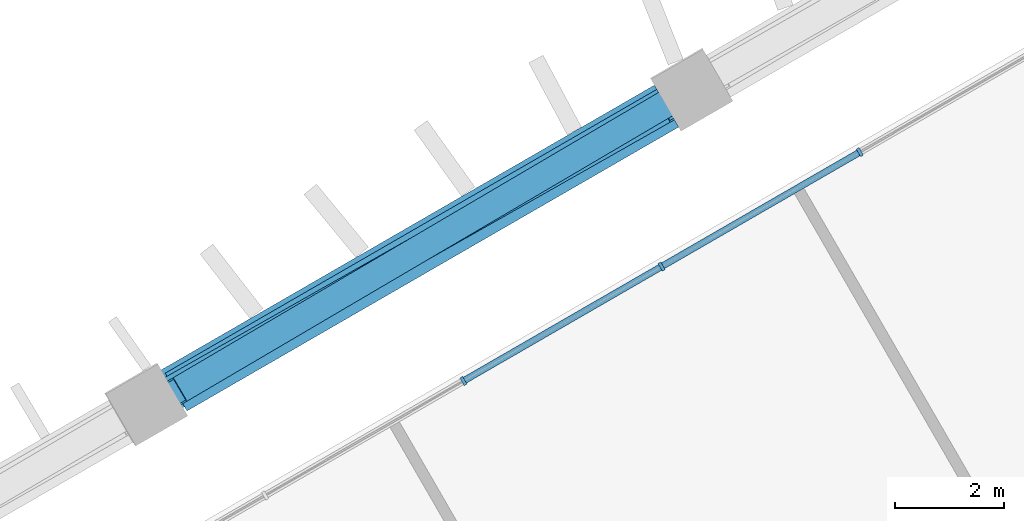
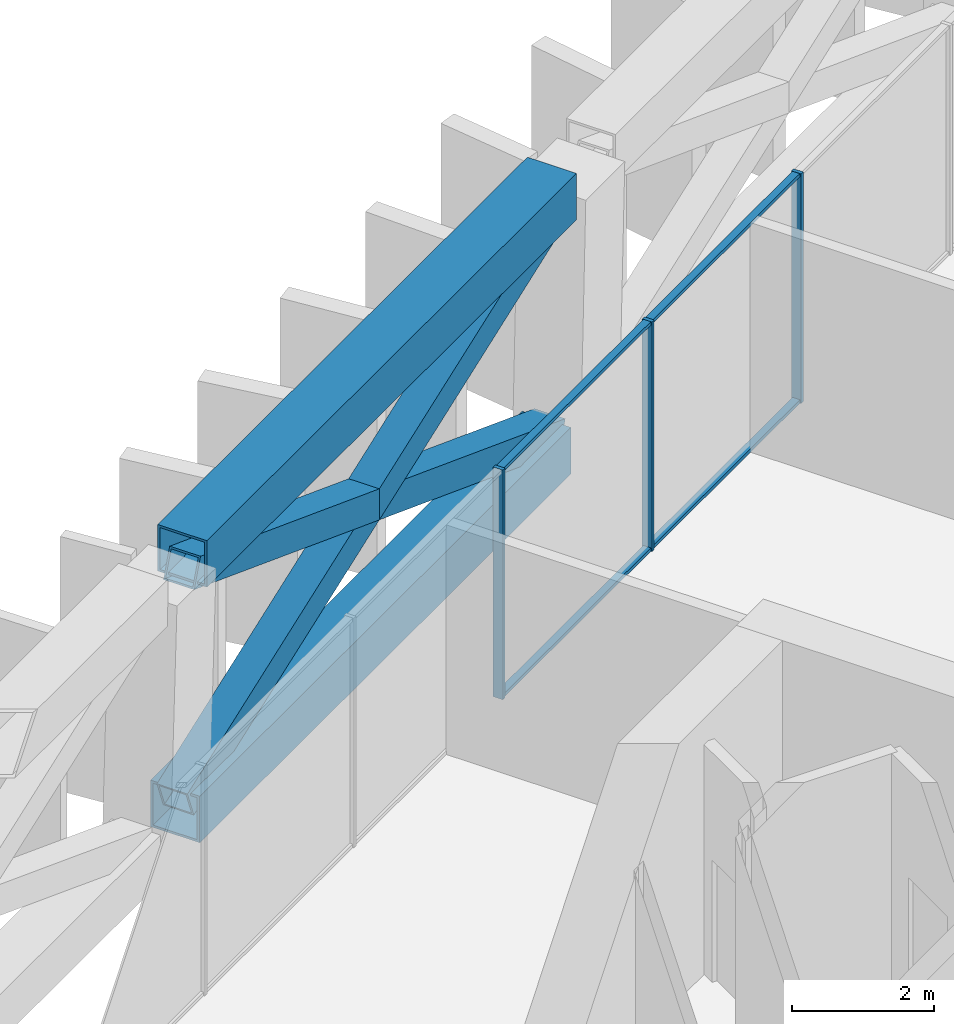
# One storey, part 7 of 17: 11 members, 1 element without a shape of its own.
"""IFC4 building model written with IfcOpenShell, lengths in metres."""

from ifc_helpers import new_model, si_unit, direction, frame, origin, origin_2d, place, context, subcontext, project, spatial, rectangle, hollow_rectangle, extrude, material, layer, layer_set, material_profile, profile_set, type_object, element, aggregate, save


model = new_model("IFC4")

# Units and contexts
model_context = context("Model", 3, precision=1e-05, world=origin(), true_north=direction((0.0, 1.0)))
body_context = subcontext(model_context, "Body", "Model", "MODEL_VIEW")
ifc_project = project(units=[si_unit("LENGTHUNIT", "METRE"), si_unit("AREAUNIT", "SQUARE_METRE"), si_unit("VOLUMEUNIT", "CUBIC_METRE"), si_unit("PLANEANGLEUNIT", "RADIAN"), si_unit("MASSUNIT", "GRAM", prefix="KILO")], contexts=[model_context])

# Site, building, storey
site_placement = place(None, origin())
site = spatial("IfcSite", under=ifc_project, at=site_placement, CompositionType="ELEMENT")
building_placement = place(site_placement, origin())
building = spatial("IfcBuilding", under=site, at=building_placement, Name="Jabali Bay Hotel Tower and Convention Centre", CompositionType="ELEMENT")
storey_placement = place(building_placement, frame((0.0, 0.0, 102.39990234375)))
storey = spatial("IfcBuildingStorey", under=building, at=storey_placement, Name="L24", CompositionType="ELEMENT", Elevation=102.39990234375)

# Members
ifc_material_1 = material(Name="Steel Q420GJC", Category="steel")
ifc_material_profile_1 = material_profile(ifc_material_1, hollow_rectangle(XDim=0.5, YDim=0.5, WallThickness=0.030029296875, at=origin_2d()), Name="Belt brace 500x500x30")
ifc_profile_set_1 = profile_set([ifc_material_profile_1], Name="Steel Q420GJC")
member_type_1 = type_object("IfcMemberType", Name="Belt brace 500x500x30", PredefinedType="BRACE", material=ifc_profile_set_1)
member_1_placement = place(storey_placement, frame((63.231689453125, 99.283447265625, 0.210205078125), z_axis=(-0.805412998282, -0.473329501843, 0.356747929053), x_axis=(0.506667904154, -0.862141307965, 0.0)))
element("IfcMember", 1, at=member_1_placement, inside=storey, type_object=member_type_1, Name="Belt brace T2 F1.3-F1.4 x1", PredefinedType="BRACE", context=body_context, shape_type="SweptSolid", body=[
    extrude(hollow_rectangle(XDim=0.5, YDim=0.5, WallThickness=0.030029296875, at=origin_2d()), origin(), (0.0, 0.0, 1.0), 11.155517578125),
])
member_2_placement = place(storey_placement, frame((54.166015625, 94.04931640625, 0.209228515625), z_axis=(0.813008644183, 0.461119791379, 0.355507359251), x_axis=(-0.493348533337, 0.869831722033, 0.0)))
element("IfcMember", 2, at=member_2_placement, inside=storey, type_object=member_type_1, Name="Belt brace T2 F1.3-F1.4 x2", PredefinedType="BRACE", context=body_context, shape_type="SweptSolid", body=[
    extrude(hollow_rectangle(XDim=0.5, YDim=0.5, WallThickness=0.030029296875, at=origin_2d()), origin(), (0.0, 0.0, 1.0), 11.199951171875),
])
ifc_material_profile_2 = material_profile(ifc_material_1, hollow_rectangle(XDim=0.800048828125, YDim=0.800048828125, WallThickness=0.0400390625, at=origin_2d()), Name="Belt chord 800x800x40")
ifc_profile_set_2 = profile_set([ifc_material_profile_2], Name="Steel Q420GJC")
member_type_2 = type_object("IfcMemberType", Name="Belt chord 800x800x40", PredefinedType="CHORD", material=ifc_profile_set_2)
member_3_placement = place(storey_placement, frame((63.2294921875, 99.287109375, 0.0), z_axis=(-0.866017023461, -0.500014514865, 0.0), x_axis=(0.500014514865, -0.866017023461, 0.0)))
element("IfcMember", 3, at=member_3_placement, inside=storey, type_object=member_type_2, Name="Belt chord T2 F1.3-F1.4", PredefinedType="CHORD", context=body_context, shape_type="SweptSolid", body=[
    extrude(hollow_rectangle(XDim=0.800048828125, YDim=0.800048828125, WallThickness=0.0400390625, at=origin_2d()), origin(), (0.0, 0.0, 1.0), 10.468017578125),
])
member_4_placement = place(storey_placement, frame((63.27392578125, 99.210205078125, 4.400146484375), z_axis=(-0.866018607488, -0.500011771347, 0.0), x_axis=(0.500011771347, -0.866018607488, 0.0)))
element("IfcMember", 4, at=member_4_placement, inside=storey, type_object=member_type_2, Name="Belt chord T2 F1.3-F1.4", PredefinedType="CHORD", context=body_context, shape_type="SweptSolid", body=[
    extrude(hollow_rectangle(XDim=0.800048828125, YDim=0.800048828125, WallThickness=0.0400390625, at=origin_2d()), origin(), (0.0, 0.0, 1.0), 10.421142578125),
])

# Curtain wall, members
ifc_material_2 = material(Name="Aluminium and glass", Category="aluminium")
ifc_layer = layer(ifc_material_2, 0.159912109375)
ifc_layer_set = layer_set([ifc_layer], Name="Aluminium and glass")
curtain_wall_type = type_object("IfcCurtainWallType", Name="CW3 curtain wall", PredefinedType="NOTDEFINED", material=ifc_layer_set)
curtain_wall_placement = place(storey_placement, origin())
curtain_wall = element("IfcCurtainWall", 5, at=curtain_wall_placement, inside=storey, type_object=curtain_wall_type, Name="CW3 curtain wall north-west face L24", PredefinedType="NOTDEFINED")
ifc_material_3 = material(Name="Aluminium", Category="aluminium")
ifc_material_profile_3 = material_profile(ifc_material_3, rectangle(XDim=0.159912109375, YDim=0.06005859375, at=origin_2d()), Name="CW3 mullion 60 x 160")
ifc_profile_set_3 = profile_set([ifc_material_profile_3], Name="Aluminium")
member_type_3 = type_object("IfcMemberType", Name="CW3 mullion 60 x 160", PredefinedType="MULLION", material=ifc_profile_set_3)
member_5_placement = place(storey_placement, frame((59.522705078125, 94.202392578125, 0.0), z_axis=(0.0, 0.0, 1.0), x_axis=(-0.499999994256, 0.866025407101, 0.0)))
member_5 = element("IfcMember", 6, at=member_5_placement, type_object=member_type_3, Name="CW3 mullion 6", PredefinedType="MULLION", context=body_context, shape_type="SweptSolid", body=[
    extrude(rectangle(XDim=0.159912109375, YDim=0.06005859375, at=origin_2d()), origin(), (0.0, 0.0, 1.0), 3.9501953125),
])
member_6_placement = place(storey_placement, frame((63.161376953125, 96.30322265625, 0.0), z_axis=(0.0, 0.0, 1.0), x_axis=(-0.499999994256, 0.866025407101, 0.0)))
member_6 = element("IfcMember", 7, at=member_6_placement, type_object=member_type_3, Name="CW3 mullion 7", PredefinedType="MULLION", context=body_context, shape_type="SweptSolid", body=[
    extrude(rectangle(XDim=0.159912109375, YDim=0.06005859375, at=origin_2d()), origin(), (0.0, 0.0, 1.0), 3.9501953125),
])
member_7_placement = place(storey_placement, frame((66.80029296875, 98.404052734375, 0.0), z_axis=(0.0, 0.0, 1.0), x_axis=(-0.499999994256, 0.866025407101, 0.0)))
member_7 = element("IfcMember", 8, at=member_7_placement, type_object=member_type_3, Name="CW3 mullion 8", PredefinedType="MULLION", context=body_context, shape_type="SweptSolid", body=[
    extrude(rectangle(XDim=0.159912109375, YDim=0.06005859375, at=origin_2d()), origin(), (0.0, 0.0, 1.0), 3.9501953125),
])
ifc_material_profile_4 = material_profile(ifc_material_3, rectangle(XDim=0.1201171875, YDim=0.06005859375, at=origin_2d()), Name="CW3 transom 60 x 120")
ifc_profile_set_4 = profile_set([ifc_material_profile_4], Name="Aluminium")
member_type_4 = type_object("IfcMemberType", Name="CW3 transom 60 x 120", PredefinedType="USERDEFINED", material=ifc_profile_set_4)
member_8_placement = place(storey_placement, frame((59.548583984375, 94.21728515625, 0.030029296875), z_axis=(0.866010858883, 0.500025191662, 0.0), x_axis=(-0.500025191662, 0.866010858883, 0.0)))
member_8 = element("IfcMember", 9, at=member_8_placement, type_object=member_type_4, Name="CW3 transom 6.1", ObjectType="TRANSOM", PredefinedType="USERDEFINED", context=body_context, shape_type="SweptSolid", body=[
    extrude(rectangle(XDim=0.1201171875, YDim=0.06005859375, at=origin_2d()), origin(), (0.0, 0.0, 1.0), 4.141845703125),
])
member_9_placement = place(storey_placement, frame((59.548583984375, 94.21728515625, 3.920166015625), z_axis=(0.866010858883, 0.500025191662, 0.0), x_axis=(-0.500025191662, 0.866010858883, 0.0)))
member_9 = element("IfcMember", 10, at=member_9_placement, type_object=member_type_4, Name="CW3 transom 6.2", ObjectType="TRANSOM", PredefinedType="USERDEFINED", context=body_context, shape_type="SweptSolid", body=[
    extrude(rectangle(XDim=0.1201171875, YDim=0.06005859375, at=origin_2d()), origin(), (0.0, 0.0, 1.0), 4.141845703125),
])
member_10_placement = place(storey_placement, frame((63.1875, 96.318359375, 0.030029296875), z_axis=(0.866021646493, 0.500006507763, 0.0), x_axis=(-0.500006507763, 0.866021646493, 0.0)))
member_10 = element("IfcMember", 11, at=member_10_placement, type_object=member_type_4, Name="CW3 transom 7.1", ObjectType="TRANSOM", PredefinedType="USERDEFINED", context=body_context, shape_type="SweptSolid", body=[
    extrude(rectangle(XDim=0.1201171875, YDim=0.06005859375, at=origin_2d()), origin(), (0.0, 0.0, 1.0), 4.1416015625),
])
member_11_placement = place(storey_placement, frame((63.1875, 96.318359375, 3.920166015625), z_axis=(0.866021646493, 0.500006507763, 0.0), x_axis=(-0.500006507763, 0.866021646493, 0.0)))
member_11 = element("IfcMember", 12, at=member_11_placement, type_object=member_type_4, Name="CW3 transom 7.2", ObjectType="TRANSOM", PredefinedType="USERDEFINED", context=body_context, shape_type="SweptSolid", body=[
    extrude(rectangle(XDim=0.1201171875, YDim=0.06005859375, at=origin_2d()), origin(), (0.0, 0.0, 1.0), 4.1416015625),
])
aggregate(curtain_wall, [member_5, member_6, member_7, member_8, member_9, member_10, member_11])

save(model, "model.ifc")
